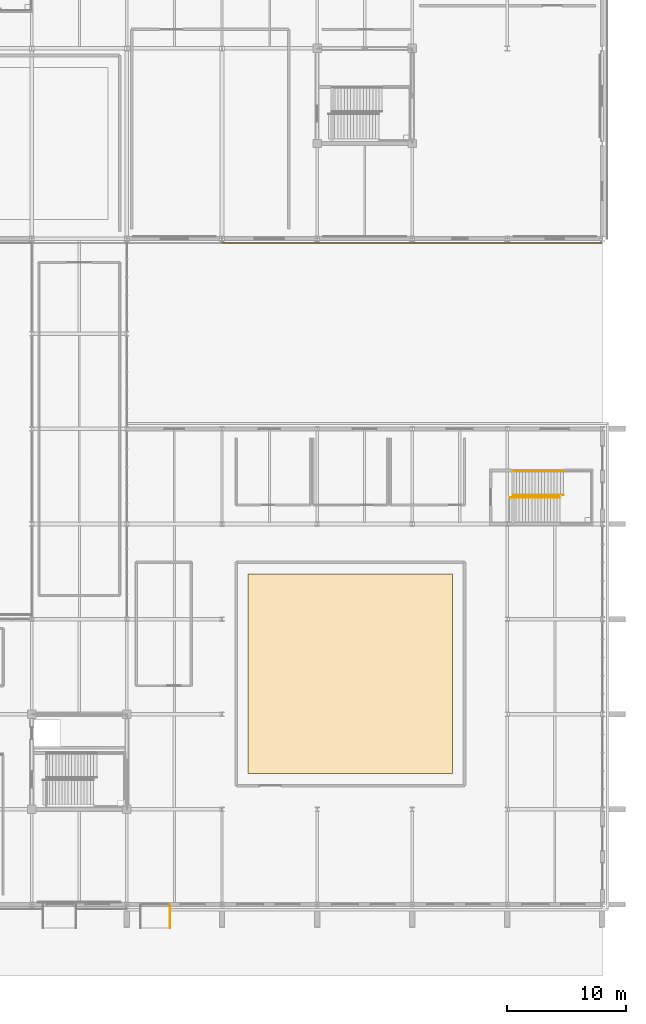
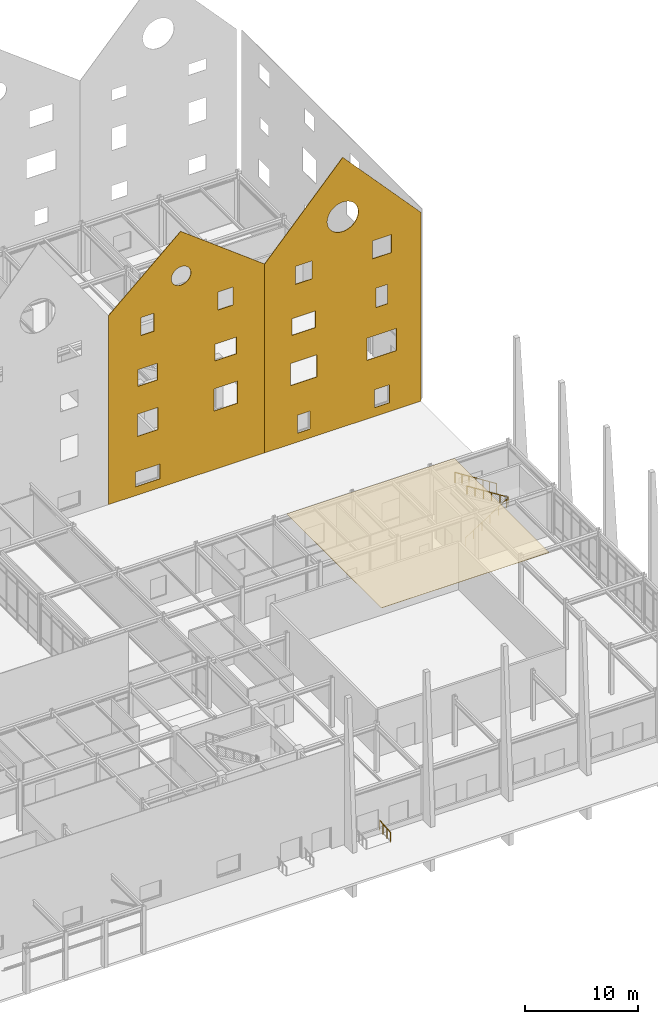
# One storey, part 115 of 119: 4 railings, 3 coverings, 17 openings.
"""IFC4 building model written with IfcOpenShell, lengths in metres."""

from ifc_helpers import new_model, si_unit, direction, frame, frame_2d, origin, origin_2d, place, context, subcontext, project, spatial, polyline, rectangle, circle, outline, extrude, material, layer, layer_set, type_object, element, save


model = new_model("IFC4")

# Units and contexts
model_context = context("Model", 3, precision=1e-05, world=origin(), true_north=direction((0.0, 1.0)))
body_context = subcontext(model_context, "Body", "Model", "MODEL_VIEW")
ifc_project = project(units=[si_unit("LENGTHUNIT", "METRE"), si_unit("AREAUNIT", "SQUARE_METRE"), si_unit("VOLUMEUNIT", "CUBIC_METRE"), si_unit("PLANEANGLEUNIT", "RADIAN"), si_unit("MASSUNIT", "GRAM", prefix="KILO")], contexts=[model_context])

# Site, building, storey
site_placement = place(None, origin())
site = spatial("IfcSite", under=ifc_project, at=site_placement, CompositionType="ELEMENT")
building_placement = place(site_placement, origin())
building = spatial("IfcBuilding", under=site, at=building_placement, Name="Zhaolan Boulevard Law Courts", CompositionType="ELEMENT")
storey_placement = place(building_placement, origin())
storey = spatial("IfcBuildingStorey", under=building, at=storey_placement, Name="L00", CompositionType="ELEMENT", Elevation=0.0)

# Covering
ifc_material_1 = material(Name="Perforated acoustic gypsum and timber-slat ceiling", Category="wood")
ifc_layer_1 = layer(ifc_material_1, 0.030029296875)
ifc_layer_set_1 = layer_set([ifc_layer_1])
covering_type_1 = type_object("IfcCoveringType", Name="ACOUSTIC CEILING 30", PredefinedType="CEILING", material=ifc_layer_set_1)
covering_1_placement = place(storey_placement, frame((142.800048828125, 25.39990234375, 15.06005859375), z_axis=(0.0, 0.0, 1.0), x_axis=(1.0, 0.0, 0.0)))
element("IfcCovering", 1, at=covering_1_placement, inside=storey, type_object=covering_type_1, Name="Acoustic Baffle Ceiling CLG-01", PredefinedType="CEILING", context=body_context, shape_type="SweptSolid", body=[
    extrude(rectangle(XDim=17.199951171875, YDim=16.800048828125, at=origin_2d()), origin(), (0.0, 0.0, 1.0), 0.030029296875),
])

# Railings
ifc_material_2 = material(Name="Brushed stainless steel tubular handrail", Category="steel")
railing_type_1 = type_object("IfcRailingType", Name="STAIR HANDRAIL 900", PredefinedType="HANDRAIL", material=ifc_material_2)
railing_1_placement = place(storey_placement, frame((156.199951171875, 40.22998046875, 0.0)))
element("IfcRailing", 2, at=railing_1_placement, inside=storey, type_object=railing_type_1, Name="Stair Handrail HR-ST07-L00-1", PredefinedType="HANDRAIL", context=body_context, shape_type="SweptSolid", body=[
    extrude(circle(Radius=0.0224609375, at=origin_2d()), frame((0.0, 0.0, 0.87744140625), z_axis=(0.843501457581, 0.0, 0.537126885437), x_axis=(0.0, 1.0, 0.0)), (0.0, 0.0, 1.0), 5.026611328125),
    extrude(circle(Radius=0.01904296875, at=origin_2d()), origin(), (0.0, 0.0, 1.0), 0.85498046875),
    extrude(circle(Radius=0.01904296875, at=origin_2d()), frame((0.847900390625, 0.0, 0.5400390625)), (0.0, 0.0, 1.0), 0.85498046875),
    extrude(circle(Radius=0.01904296875, at=origin_2d()), frame((1.696044921875, 0.0, 1.080078125)), (0.0, 0.0, 1.0), 0.85498046875),
    extrude(circle(Radius=0.01904296875, at=origin_2d()), frame((2.5439453125, 0.0, 1.619873046875)), (0.0, 0.0, 1.0), 0.85498046875),
    extrude(circle(Radius=0.01904296875, at=origin_2d()), frame((3.39208984375, 0.0, 2.159912109375)), (0.0, 0.0, 1.0), 0.85498046875),
    extrude(circle(Radius=0.01904296875, at=origin_2d()), frame((4.239990234375, 0.0, 2.699951171875)), (0.0, 0.0, 1.0), 0.85498046875),
])
railing_2_placement = place(storey_placement, frame((160.72509765625, 40.449951171875, 2.699951171875)))
element("IfcRailing", 3, at=railing_2_placement, inside=storey, type_object=railing_type_1, Name="Stair Handrail HR-ST07-L00-2", PredefinedType="HANDRAIL", context=body_context, shape_type="SweptSolid", body=[
    extrude(circle(Radius=0.0224609375, at=origin_2d()), frame((0.0, 0.0, 0.87744140625), z_axis=(-0.843501457581, 0.0, 0.537126885437), x_axis=(0.0, -1.0, 0.0)), (0.0, 0.0, 1.0), 5.026611328125),
    extrude(circle(Radius=0.01904296875, at=origin_2d()), origin(), (0.0, 0.0, 1.0), 0.85498046875),
    extrude(circle(Radius=0.01904296875, at=origin_2d()), frame((-0.847900390625, 0.0, 0.5400390625)), (0.0, 0.0, 1.0), 0.85498046875),
    extrude(circle(Radius=0.01904296875, at=origin_2d()), frame((-1.696044921875, 0.0, 1.080078125)), (0.0, 0.0, 1.0), 0.85498046875),
    extrude(circle(Radius=0.01904296875, at=origin_2d()), frame((-2.5439453125, 0.0, 1.619873046875)), (0.0, 0.0, 1.0), 0.85498046875),
    extrude(circle(Radius=0.01904296875, at=origin_2d()), frame((-3.39208984375, 0.0, 2.159912109375)), (0.0, 0.0, 1.0), 0.85498046875),
    extrude(circle(Radius=0.01904296875, at=origin_2d()), frame((-4.239990234375, 0.0, 2.699951171875)), (0.0, 0.0, 1.0), 0.85498046875),
])
ifc_material_3 = material(Name="Powder-coated steel baluster guardrail", Category="steel")
railing_type_2 = type_object("IfcRailingType", Name="STAIR WELL GUARDRAIL 1120", PredefinedType="GUARDRAIL", material=ifc_material_3)
railing_3_placement = place(storey_placement, frame((160.72509765625, 42.510009765625, 2.699951171875)))
element("IfcRailing", 4, at=railing_3_placement, inside=storey, type_object=railing_type_2, Name="Flight Guardrail SG-ST07-L00-F2", PredefinedType="GUARDRAIL", context=body_context, shape_type="SweptSolid", body=[
    extrude(circle(Radius=0.02392578125, at=origin_2d()), frame((0.0, 0.0, 1.09619140625), z_axis=(-0.843501457581, 0.0, 0.537126885437), x_axis=(0.0, -1.0, 0.0)), (0.0, 0.0, 1.0), 5.026611328125),
    extrude(circle(Radius=0.02099609375, at=origin_2d()), origin(), (0.0, 0.0, 1.0), 1.072021484375),
    extrude(circle(Radius=0.02099609375, at=origin_2d()), frame((-0.70654296875, 0.0, 0.449951171875)), (0.0, 0.0, 1.0), 1.072021484375),
    extrude(circle(Radius=0.02099609375, at=origin_2d()), frame((-1.413330078125, 0.0, 0.89990234375)), (0.0, 0.0, 1.0), 1.072021484375),
    extrude(circle(Radius=0.02099609375, at=origin_2d()), frame((-2.1201171875, 0.0, 1.35009765625)), (0.0, 0.0, 1.0), 1.072021484375),
    extrude(circle(Radius=0.02099609375, at=origin_2d()), frame((-2.82666015625, 0.0, 1.800048828125)), (0.0, 0.0, 1.0), 1.072021484375),
    extrude(circle(Radius=0.02099609375, at=origin_2d()), frame((-3.533203125, 0.0, 2.25)), (0.0, 0.0, 1.0), 1.072021484375),
    extrude(circle(Radius=0.02099609375, at=origin_2d()), frame((-4.239990234375, 0.0, 2.699951171875)), (0.0, 0.0, 1.0), 1.072021484375),
])
railing_4_placement = place(storey_placement, frame((127.639892578125, 4.010009765625, -0.159912109375)))
element("IfcRailing", 5, at=railing_4_placement, inside=storey, type_object=railing_type_2, Name="Accessible Ramp Guardrail RHR-03B", PredefinedType="GUARDRAIL", context=body_context, shape_type="SweptSolid", body=[
    extrude(circle(Radius=0.02392578125, at=origin_2d()), frame((0.0, 0.0, 1.09619140625), z_axis=(0.0, 0.996688107788, 0.08131922155), x_axis=(-1.0, 0.0, 0.0)), (0.0, 0.0, 1.0), 1.966552734375),
    extrude(circle(Radius=0.02099609375, at=origin_2d()), origin(), (0.0, 0.0, 1.0), 1.072021484375),
    extrude(circle(Radius=0.02099609375, at=origin_2d()), frame((0.0, 0.6533203125, 0.05322265625)), (0.0, 0.0, 1.0), 1.072021484375),
    extrude(circle(Radius=0.02099609375, at=origin_2d()), frame((0.0, 1.306640625, 0.106689453125)), (0.0, 0.0, 1.0), 1.072021484375),
    extrude(circle(Radius=0.02099609375, at=origin_2d()), frame((0.0, 1.9599609375, 0.159912109375)), (0.0, 0.0, 1.0), 1.072021484375),
])

# Covering, openings
ifc_material_4 = material(Name="Pale mist-grey standing-seam Al-Mg-Mn zinc-titanium")
ifc_layer_2 = layer(ifc_material_4, 0.050048828125)
ifc_layer_set_2 = layer_set([ifc_layer_2])
covering_type_2 = type_object("IfcCoveringType", Name="STANDING SEAM CLADDING 50", PredefinedType="CLADDING", material=ifc_layer_set_2)
covering_2_placement = place(storey_placement, frame((132.0, 61.635009765625, 0.0), z_axis=(0.0, 0.0, 1.0), x_axis=(1.0, 0.0, 0.0)))
covering_2 = element("IfcCovering", 6, at=covering_2_placement, inside=storey, type_object=covering_type_2, Name="Standing-Seam Metal Wall Wrap SSC-021", PredefinedType="CLADDING", context=body_context, shape_type="SweptSolid", body=[
    extrude(outline(polyline([(0.0, 0.0), (16.0, 0.0), (16.0, 20.449951171875), (7.39990234375, 27.0), (0.0, 20.449951171875), (0.0, 0.0)])), frame((0.0, 0.02490234375, 0.0), z_axis=(0.0, -1.0, 0.0), x_axis=(1.0, 0.0, 0.0)), (0.0, 0.0, 1.0), 0.050048828125),
])
opening_1_placement = place(storey_placement, frame((134.75, 61.635009765625, 0.949951171875), z_axis=(0.0, 0.0, 1.0), x_axis=(1.0, 0.0, 0.0)))
element("IfcOpeningElement", 7, at=opening_1_placement, cuts=covering_2, Name="Cladding Void WIN-L00-040", PredefinedType="OPENING", context=body_context, shape_type="SweptSolid", body=[
    extrude(rectangle(XDim=2.5, YDim=1.60009765625, at=frame_2d((1.25, 0.800048828125))), frame((0.0, 0.14990234375, 0.0), z_axis=(0.0, -1.0, 0.0), x_axis=(1.0, 0.0, 0.0)), (0.0, 0.0, 1.0), 0.300048828125),
])
opening_2_placement = place(storey_placement, frame((134.949951171875, 61.635009765625, 6.35009765625), z_axis=(0.0, 0.0, 1.0), x_axis=(1.0, 0.0, 0.0)))
element("IfcOpeningElement", 8, at=opening_2_placement, cuts=covering_2, Name="Cladding Void WIN-L01-070", PredefinedType="OPENING", context=body_context, shape_type="SweptSolid", body=[
    extrude(rectangle(XDim=2.10009765625, YDim=2.39990234375, at=frame_2d((1.050048828125, 1.199951171875))), frame((0.0, 0.14990234375, 0.0), z_axis=(0.0, -1.0, 0.0), x_axis=(1.0, 0.0, 0.0)), (0.0, 0.0, 1.0), 0.300048828125),
])
opening_3_placement = place(storey_placement, frame((142.800048828125, 61.635009765625, 6.35009765625), z_axis=(0.0, 0.0, 1.0), x_axis=(1.0, 0.0, 0.0)))
element("IfcOpeningElement", 9, at=opening_3_placement, cuts=covering_2, Name="Cladding Void WIN-L01-071", PredefinedType="OPENING", context=body_context, shape_type="SweptSolid", body=[
    extrude(rectangle(XDim=2.39990234375, YDim=2.39990234375, at=frame_2d((1.199951171875, 1.199951171875))), frame((0.0, 0.14990234375, 0.0), z_axis=(0.0, -1.0, 0.0), x_axis=(1.0, 0.0, 0.0)), (0.0, 0.0, 1.0), 0.300048828125),
])
opening_4_placement = place(storey_placement, frame((135.0, 61.635009765625, 11.75), z_axis=(0.0, 0.0, 1.0), x_axis=(1.0, 0.0, 0.0)))
element("IfcOpeningElement", 10, at=opening_4_placement, cuts=covering_2, Name="Cladding Void WIN-L02-103", PredefinedType="OPENING", context=body_context, shape_type="SweptSolid", body=[
    extrude(rectangle(XDim=2.0, YDim=1.800048828125, at=frame_2d((1.0, 0.89990234375))), frame((0.0, 0.14990234375, 0.0), z_axis=(0.0, -1.0, 0.0), x_axis=(1.0, 0.0, 0.0)), (0.0, 0.0, 1.0), 0.300048828125),
])
opening_5_placement = place(storey_placement, frame((142.89990234375, 61.635009765625, 11.75), z_axis=(0.0, 0.0, 1.0), x_axis=(1.0, 0.0, 0.0)))
element("IfcOpeningElement", 11, at=opening_5_placement, cuts=covering_2, Name="Cladding Void WIN-L02-104", PredefinedType="OPENING", context=body_context, shape_type="SweptSolid", body=[
    extrude(rectangle(XDim=2.199951171875, YDim=1.800048828125, at=frame_2d((1.10009765625, 0.89990234375))), frame((0.0, 0.14990234375, 0.0), z_axis=(0.0, -1.0, 0.0), x_axis=(1.0, 0.0, 0.0)), (0.0, 0.0, 1.0), 0.300048828125),
])
opening_6_placement = place(storey_placement, frame((135.35009765625, 61.635009765625, 17.14990234375), z_axis=(0.0, 0.0, 1.0), x_axis=(1.0, 0.0, 0.0)))
element("IfcOpeningElement", 12, at=opening_6_placement, cuts=covering_2, Name="Cladding Void WIN-L03-137", PredefinedType="OPENING", context=body_context, shape_type="SweptSolid", body=[
    extrude(rectangle(XDim=1.300048828125, YDim=1.949951171875, at=frame_2d((0.64990234375, 0.97509765625))), frame((0.0, 0.14990234375, 0.0), z_axis=(0.0, -1.0, 0.0), x_axis=(1.0, 0.0, 0.0)), (0.0, 0.0, 1.0), 0.300048828125),
])
opening_7_placement = place(storey_placement, frame((143.22509765625, 61.635009765625, 17.14990234375), z_axis=(0.0, 0.0, 1.0), x_axis=(1.0, 0.0, 0.0)))
element("IfcOpeningElement", 13, at=opening_7_placement, cuts=covering_2, Name="Cladding Void WIN-L03-138", PredefinedType="OPENING", context=body_context, shape_type="SweptSolid", body=[
    extrude(rectangle(XDim=1.550048828125, YDim=1.949951171875, at=frame_2d((0.77490234375, 0.97509765625))), frame((0.0, 0.14990234375, 0.0), z_axis=(0.0, -1.0, 0.0), x_axis=(1.0, 0.0, 0.0)), (0.0, 0.0, 1.0), 0.300048828125),
])
opening_8_placement = place(storey_placement, frame((138.44091796875, 61.635009765625, 21.169921875), z_axis=(0.0, 0.0, 1.0), x_axis=(1.0, 0.0, 0.0)))
element("IfcOpeningElement", 14, at=opening_8_placement, cuts=covering_2, Name="Cladding Void OC-T6S", PredefinedType="OPENING", context=body_context, shape_type="SweptSolid", body=[
    extrude(outline(polyline([(2.0, 1.0), (1.98486328125, 1.173583984375), (1.939697265625, 1.342041015625), (1.865966796875, 1.5), (1.76611328125, 1.642822265625), (1.642822265625, 1.76611328125), (1.5, 1.865966796875), (1.342041015625, 1.939697265625), (1.173583984375, 1.98486328125), (1.0, 2.0), (0.826416015625, 1.98486328125), (0.657958984375, 1.939697265625), (0.5, 1.865966796875), (0.357177734375, 1.76611328125), (0.23388671875, 1.642822265625), (0.134033203125, 1.5), (0.060302734375, 1.342041015625), (0.01513671875, 1.173583984375), (0.0, 1.0), (0.01513671875, 0.826416015625), (0.060302734375, 0.657958984375), (0.134033203125, 0.5), (0.23388671875, 0.357177734375), (0.357177734375, 0.23388671875), (0.5, 0.134033203125), (0.657958984375, 0.060302734375), (0.826416015625, 0.01513671875), (1.0, 0.0), (1.173583984375, 0.01513671875), (1.342041015625, 0.060302734375), (1.5, 0.134033203125), (1.642822265625, 0.23388671875), (1.76611328125, 0.357177734375), (1.865966796875, 0.5), (1.939697265625, 0.657958984375), (1.98486328125, 0.826416015625), (2.0, 1.0)])), frame((0.0, 0.14990234375, 0.0), z_axis=(0.0, -1.0, 0.0), x_axis=(1.0, 0.0, 0.0)), (0.0, 0.0, 1.0), 0.300048828125),
])

covering_3_placement = place(storey_placement, frame((148.0, 61.635009765625, 0.0), z_axis=(0.0, 0.0, 1.0), x_axis=(1.0, 0.0, 0.0)))
covering_3 = element("IfcCovering", 15, at=covering_3_placement, inside=storey, type_object=covering_type_2, Name="Standing-Seam Metal Wall Wrap SSC-025", PredefinedType="CLADDING", context=body_context, shape_type="SweptSolid", body=[
    extrude(outline(polyline([(0.0, 0.0), (16.0, 0.0), (16.0, 20.449951171875), (8.0, 29.199951171875), (0.0, 20.449951171875), (0.0, 0.0)])), frame((0.0, 0.02490234375, 0.0), z_axis=(0.0, -1.0, 0.0), x_axis=(1.0, 0.0, 0.0)), (0.0, 0.0, 1.0), 0.050048828125),
])
opening_9_placement = place(storey_placement, frame((151.35009765625, 61.635009765625, 0.949951171875), z_axis=(0.0, 0.0, 1.0), x_axis=(1.0, 0.0, 0.0)))
element("IfcOpeningElement", 16, at=opening_9_placement, cuts=covering_3, Name="Cladding Void WIN-L00-041", PredefinedType="OPENING", context=body_context, shape_type="SweptSolid", body=[
    extrude(rectangle(XDim=1.300048828125, YDim=1.949951171875, at=frame_2d((0.64990234375, 0.97509765625))), frame((0.0, 0.14990234375, 0.0), z_axis=(0.0, -1.0, 0.0), x_axis=(1.0, 0.0, 0.0)), (0.0, 0.0, 1.0), 0.300048828125),
])
opening_10_placement = place(storey_placement, frame((159.22509765625, 61.635009765625, 0.949951171875), z_axis=(0.0, 0.0, 1.0), x_axis=(1.0, 0.0, 0.0)))
element("IfcOpeningElement", 17, at=opening_10_placement, cuts=covering_3, Name="Cladding Void WIN-L00-042", PredefinedType="OPENING", context=body_context, shape_type="SweptSolid", body=[
    extrude(rectangle(XDim=1.550048828125, YDim=1.949951171875, at=frame_2d((0.77490234375, 0.97509765625))), frame((0.0, 0.14990234375, 0.0), z_axis=(0.0, -1.0, 0.0), x_axis=(1.0, 0.0, 0.0)), (0.0, 0.0, 1.0), 0.300048828125),
])
opening_11_placement = place(storey_placement, frame((150.64990234375, 61.635009765625, 6.35009765625), z_axis=(0.0, 0.0, 1.0), x_axis=(1.0, 0.0, 0.0)))
element("IfcOpeningElement", 18, at=opening_11_placement, cuts=covering_3, Name="Cladding Void WIN-L01-072", PredefinedType="OPENING", context=body_context, shape_type="SweptSolid", body=[
    extrude(rectangle(XDim=2.699951171875, YDim=2.39990234375, at=frame_2d((1.35009765625, 1.199951171875))), frame((0.0, 0.14990234375, 0.0), z_axis=(0.0, -1.0, 0.0), x_axis=(1.0, 0.0, 0.0)), (0.0, 0.0, 1.0), 0.300048828125),
])
opening_12_placement = place(storey_placement, frame((158.5, 61.635009765625, 6.35009765625), z_axis=(0.0, 0.0, 1.0), x_axis=(1.0, 0.0, 0.0)))
element("IfcOpeningElement", 19, at=opening_12_placement, cuts=covering_3, Name="Cladding Void WIN-L01-073", PredefinedType="OPENING", context=body_context, shape_type="SweptSolid", body=[
    extrude(rectangle(XDim=3.0, YDim=2.39990234375, at=frame_2d((1.5, 1.199951171875))), frame((0.0, 0.14990234375, 0.0), z_axis=(0.0, -1.0, 0.0), x_axis=(1.0, 0.0, 0.0)), (0.0, 0.0, 1.0), 0.300048828125),
])
opening_13_placement = place(storey_placement, frame((150.800048828125, 61.635009765625, 11.75), z_axis=(0.0, 0.0, 1.0), x_axis=(1.0, 0.0, 0.0)))
element("IfcOpeningElement", 20, at=opening_13_placement, cuts=covering_3, Name="Cladding Void WIN-L02-105", PredefinedType="OPENING", context=body_context, shape_type="SweptSolid", body=[
    extrude(rectangle(XDim=2.39990234375, YDim=1.800048828125, at=frame_2d((1.199951171875, 0.89990234375))), frame((0.0, 0.14990234375, 0.0), z_axis=(0.0, -1.0, 0.0), x_axis=(1.0, 0.0, 0.0)), (0.0, 0.0, 1.0), 0.300048828125),
])
opening_14_placement = place(storey_placement, frame((159.39990234375, 61.635009765625, 11.75), z_axis=(0.0, 0.0, 1.0), x_axis=(1.0, 0.0, 0.0)))
element("IfcOpeningElement", 21, at=opening_14_placement, cuts=covering_3, Name="Cladding Void WIN-L02-106", PredefinedType="OPENING", context=body_context, shape_type="SweptSolid", body=[
    extrude(rectangle(XDim=1.199951171875, YDim=2.10009765625, at=frame_2d((0.60009765625, 1.050048828125))), frame((0.0, 0.14990234375, 0.0), z_axis=(0.0, -1.0, 0.0), x_axis=(1.0, 0.0, 0.0)), (0.0, 0.0, 1.0), 0.300048828125),
])
opening_15_placement = place(storey_placement, frame((151.14990234375, 61.635009765625, 17.14990234375), z_axis=(0.0, 0.0, 1.0), x_axis=(1.0, 0.0, 0.0)))
element("IfcOpeningElement", 22, at=opening_15_placement, cuts=covering_3, Name="Cladding Void WIN-L03-139", PredefinedType="OPENING", context=body_context, shape_type="SweptSolid", body=[
    extrude(rectangle(XDim=1.699951171875, YDim=1.949951171875, at=frame_2d((0.85009765625, 0.97509765625))), frame((0.0, 0.14990234375, 0.0), z_axis=(0.0, -1.0, 0.0), x_axis=(1.0, 0.0, 0.0)), (0.0, 0.0, 1.0), 0.300048828125),
])
opening_16_placement = place(storey_placement, frame((159.02490234375, 61.635009765625, 17.14990234375), z_axis=(0.0, 0.0, 1.0), x_axis=(1.0, 0.0, 0.0)))
element("IfcOpeningElement", 23, at=opening_16_placement, cuts=covering_3, Name="Cladding Void WIN-L03-140", PredefinedType="OPENING", context=body_context, shape_type="SweptSolid", body=[
    extrude(rectangle(XDim=1.949951171875, YDim=1.949951171875, at=frame_2d((0.97509765625, 0.97509765625))), frame((0.0, 0.14990234375, 0.0), z_axis=(0.0, -1.0, 0.0), x_axis=(1.0, 0.0, 0.0)), (0.0, 0.0, 1.0), 0.300048828125),
])
opening_17_placement = place(storey_placement, frame((154.39990234375, 61.635009765625, 21.169921875), z_axis=(0.0, 0.0, 1.0), x_axis=(1.0, 0.0, 0.0)))
element("IfcOpeningElement", 24, at=opening_17_placement, cuts=covering_3, Name="Cladding Void OC-T7S", PredefinedType="OPENING", context=body_context, shape_type="SweptSolid", body=[
    extrude(outline(polyline([(3.199951171875, 1.60009765625), (3.17578125, 1.8779296875), (3.103515625, 2.147216796875), (2.985595703125, 2.39990234375), (2.82568359375, 2.62841796875), (2.62841796875, 2.82568359375), (2.39990234375, 2.985595703125), (2.147216796875, 3.103515625), (1.8779296875, 3.17578125), (1.60009765625, 3.199951171875), (1.322265625, 3.17578125), (1.052734375, 3.103515625), (0.800048828125, 2.985595703125), (0.571533203125, 2.82568359375), (0.374267578125, 2.62841796875), (0.21435546875, 2.39990234375), (0.096435546875, 2.147216796875), (0.0244140625, 1.8779296875), (0.0, 1.60009765625), (0.0244140625, 1.322265625), (0.096435546875, 1.052734375), (0.21435546875, 0.800048828125), (0.374267578125, 0.571533203125), (0.571533203125, 0.374267578125), (0.800048828125, 0.21435546875), (1.052734375, 0.096435546875), (1.322265625, 0.0244140625), (1.60009765625, 0.0), (1.8779296875, 0.0244140625), (2.147216796875, 0.096435546875), (2.39990234375, 0.21435546875), (2.62841796875, 0.374267578125), (2.82568359375, 0.571533203125), (2.985595703125, 0.800048828125), (3.103515625, 1.052734375), (3.17578125, 1.322265625), (3.199951171875, 1.60009765625)])), frame((0.0, 0.14990234375, 0.0), z_axis=(0.0, -1.0, 0.0), x_axis=(1.0, 0.0, 0.0)), (0.0, 0.0, 1.0), 0.300048828125),
])

save(model, "model.ifc")
